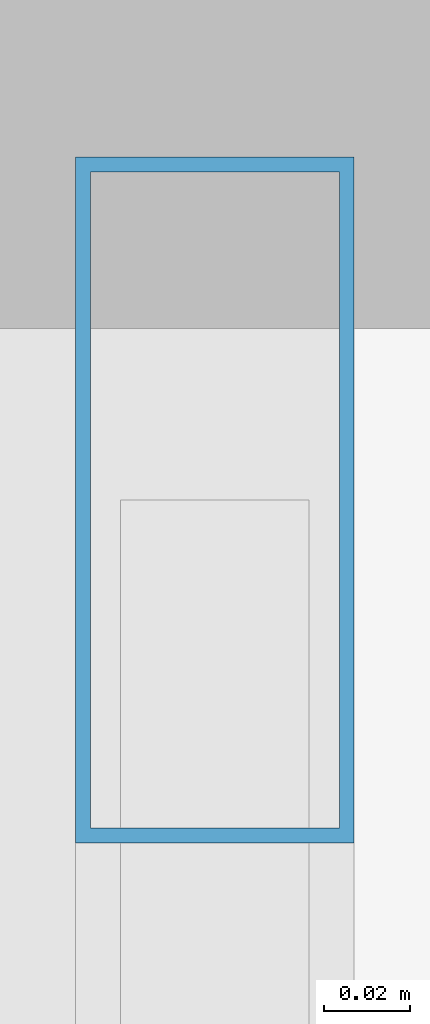
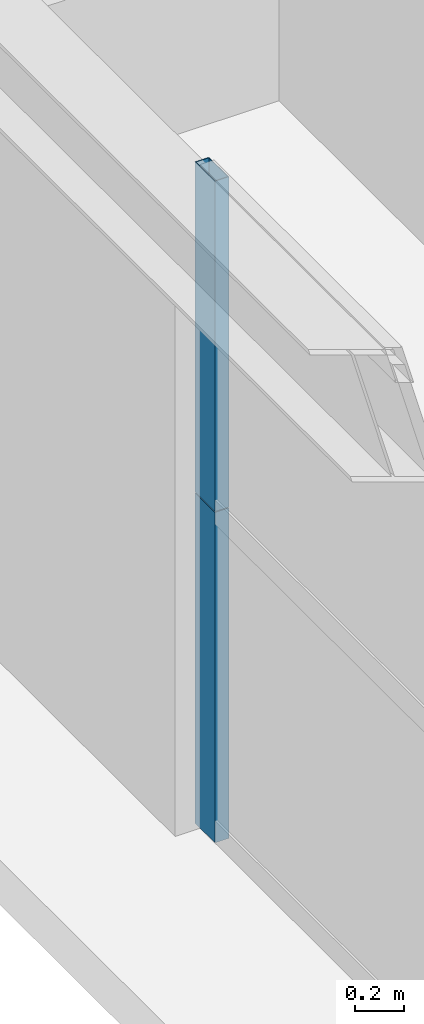
# One storey, part 22 of 37: 2 members, 1 element without a shape of its own.
"""IFC4 building model written with IfcOpenShell, lengths in metres."""

from ifc_helpers import new_model, si_unit, direction, frame, origin, origin_2d, place, context, subcontext, project, spatial, hollow_rectangle, extrude, source, transform, mapped, material, layer, layer_set, material_profile, profile_set, type_object, element, aggregate, save


model = new_model("IFC4")

# Units and contexts
model_context = context("Model", 3, precision=1e-05, world=origin(), true_north=direction((0.0, 1.0)))
body_context = subcontext(model_context, "Body", "Model", "MODEL_VIEW")
ifc_project = project(units=[si_unit("LENGTHUNIT", "METRE"), si_unit("AREAUNIT", "SQUARE_METRE"), si_unit("VOLUMEUNIT", "CUBIC_METRE"), si_unit("PLANEANGLEUNIT", "RADIAN"), si_unit("MASSUNIT", "GRAM", prefix="KILO"), si_unit("THERMODYNAMICTEMPERATUREUNIT", "KELVIN"), si_unit("POWERUNIT", "WATT")], contexts=[model_context])

# Site, building, storey
site_placement = place(None, origin())
site = spatial("IfcSite", under=ifc_project, at=site_placement, CompositionType="ELEMENT")
building_placement = place(site_placement, origin())
building = spatial("IfcBuilding", under=site, at=building_placement, Name="Yuzanri Waterfront Tower", CompositionType="ELEMENT")
storey_placement = place(building_placement, frame((0.0, 0.0, 278.60009765625)))
storey = spatial("IfcBuildingStorey", under=building, at=storey_placement, Name="L74", CompositionType="ELEMENT", Elevation=278.60009765625)

# Curtain wall, members
ifc_material_1 = material(Name="Anodized Architectural Bronze", Category="metal")
ifc_layer = layer(ifc_material_1, 0.159912109375)
ifc_layer_set = layer_set([ifc_layer], Name="Anodized Architectural Bronze")
curtain_wall_type = type_object("IfcCurtainWallType", Name="Anodized Bronze Mid-Rise Residential Acoustic Unitized Curtain Wall 7200", PredefinedType="NOTDEFINED", material=ifc_layer_set)
curtain_wall_placement = place(storey_placement, origin())
curtain_wall = element("IfcCurtainWall", 1, at=curtain_wall_placement, inside=storey, type_object=curtain_wall_type, Name="L74 Curtain Wall CW-L74-WR", PredefinedType="NOTDEFINED")
ifc_material_2 = material(Name="Anodized Architectural Bronze", Category="metal")
ifc_material_profile = material_profile(ifc_material_2, hollow_rectangle(XDim=0.06494140625, YDim=0.159912109375, WallThickness=0.00341796875, at=origin_2d()), Name="CWM 65x160")
ifc_profile_set = profile_set([ifc_material_profile], Name="Anodized Architectural Bronze")
member_type = type_object("IfcMemberType", Name="Anodized Bronze Upper-Zone Curtain-Wall Mullion 65x160", PredefinedType="MULLION", material=ifc_profile_set)
shared_shape = source(origin(), body_context, "Body", "SweptSolid", [
    extrude(hollow_rectangle(XDim=0.06494140625, YDim=0.159912109375, WallThickness=0.00341796875, at=origin_2d()), origin(), (0.0, 0.0, 1.0), 1.637939453125),
])
member_1_placement = place(storey_placement, frame((16.550048828125, 39.010009765625, 0.0), z_axis=(0.0, 0.0, 1.0), x_axis=(1.0, 0.0, 0.0)))
member_1 = element("IfcMember", 2, at=member_1_placement, type_object=member_type, Name="CW-L74-WR Lower Mullion 02", PredefinedType="MULLION", context=body_context, shape_type="MappedRepresentation", body=[
    mapped(shared_shape, transform((0.0, 0.0, 0.0), scale=1.0)),
])
member_2_placement = place(storey_placement, frame((16.550048828125, 39.010009765625, 1.641845703125), z_axis=(0.0, 0.0, 1.0), x_axis=(1.0, 0.0, 0.0)))
member_2 = element("IfcMember", 3, at=member_2_placement, type_object=member_type, Name="CW-L74-WR Upper Mullion 02", PredefinedType="MULLION", context=body_context, shape_type="MappedRepresentation", body=[
    mapped(shared_shape, transform((0.0, 0.0, 0.0), scale=1.0)),
])
aggregate(curtain_wall, [member_1, member_2])

save(model, "model.ifc")
